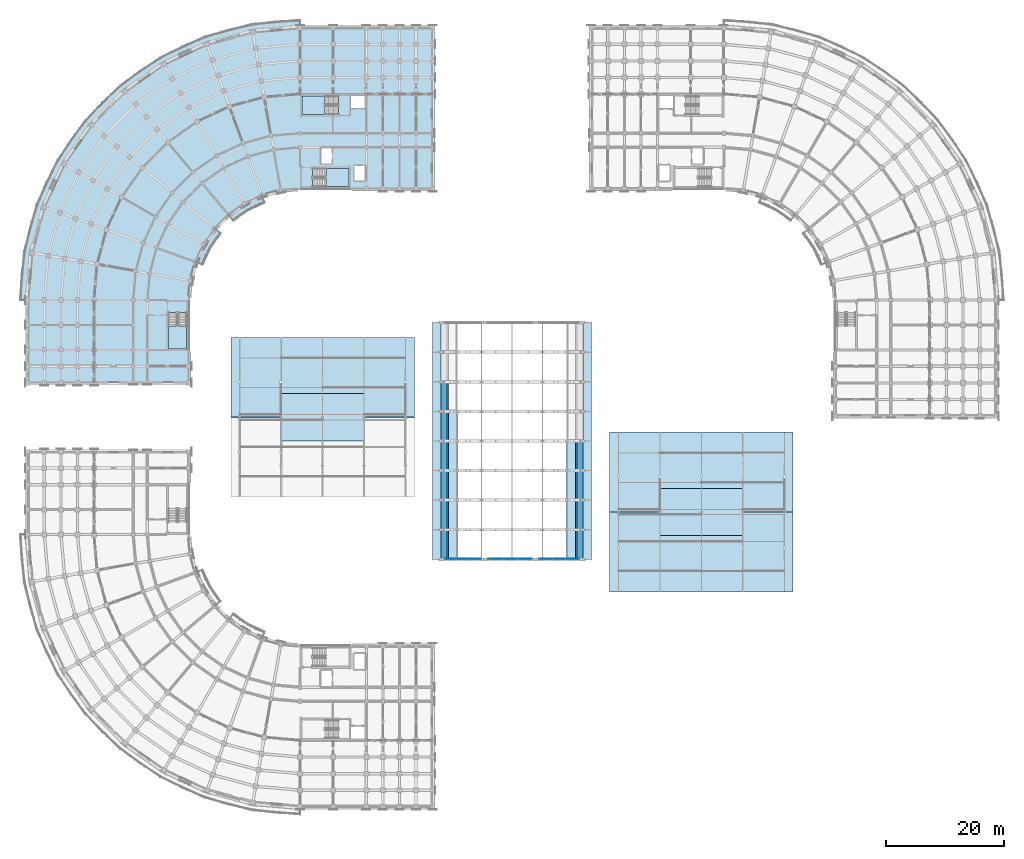
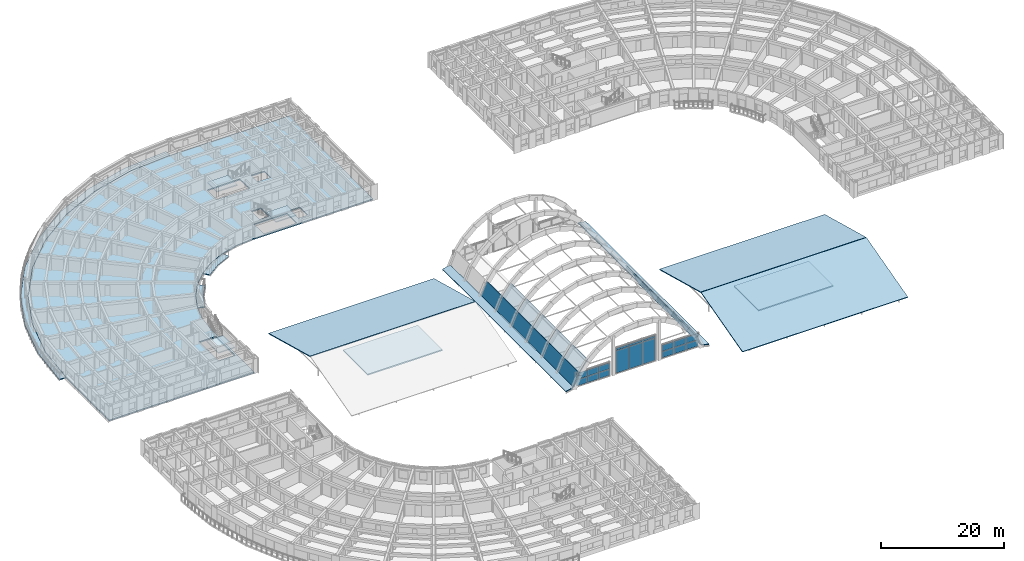
# One storey, part 27 of 76: 33 slabs, 18 plates, 9 elements without a shape of their own.
"""IFC4 building model written with IfcOpenShell, lengths in metres."""

import ifcopenshell
import ifcopenshell.guid

model = None  # the IFC model being written
_history = None  # IfcOwnerHistory: only IFC2X3 demands one
_inside = {}  # id of a spatial element -> (the spatial element, [elements in it])
_under = {}  # id of a project, library or spatial element -> (it, [spatial elements below it])
_declared = {}  # id of a project -> (the project, [libraries it declares])
_typed = {}  # id of a type object -> (the type object, [elements of that type])
_made_of = {}  # id of a material, layer set ... -> (it, [elements and type objects made of it])


def new_model(schema):
    """Start an empty IFC model of exactly this schema.

    Asked for "IFC4X3", IfcOpenShell would pick the latest addendum, in which some entities
    have other attributes; the version numbers below select the first issue.
    IFC2X3 requires an IfcOwnerHistory on every rooted entity: one is made here for all.
    """
    global model, _history
    if schema == "IFC4X3":
        model = ifcopenshell.file(schema_version=(4, 3, 0, 0))
    else:
        model = ifcopenshell.file(schema=schema)
    _inside.clear()
    _under.clear()
    _declared.clear()
    _typed.clear()
    _made_of.clear()
    _history = None
    if model.schema == "IFC2X3":
        org = make("IfcOrganization", Name="unknown")
        user = make(
            "IfcPersonAndOrganization",
            ThePerson=make("IfcPerson", FamilyName="unknown"),
            TheOrganization=org,
        )
        app = make(
            "IfcApplication",
            ApplicationDeveloper=org,
            Version="unknown",
            ApplicationFullName="unknown",
            ApplicationIdentifier="unknown",
        )
        _history = make(
            "IfcOwnerHistory",
            OwningUser=user,
            OwningApplication=app,
            ChangeAction="ADDED",
            CreationDate=0,
        )
    return model


def make(cls, **values):
    """One entity of the class cls with the attributes given. An attribute that is None is left unset."""
    return model.create_entity(
        cls, **{name: value for name, value in values.items() if value is not None}
    )


def rooted(cls, **values):
    """An entity with a GlobalId (a new one), such as an element, a storey or a relation."""
    return make(cls, GlobalId=ifcopenshell.guid.new(), OwnerHistory=_history, **values)


def si_unit(unit_type, name, prefix=None):
    """IfcSIUnit, for example si_unit("LENGTHUNIT", "METRE", prefix="MILLI")."""
    return make("IfcSIUnit", UnitType=unit_type, Prefix=prefix, Name=name)


def assignment(units):
    """IfcUnitAssignment: the units of a project."""
    return None if units is None else make("IfcUnitAssignment", Units=units)


def point(xyz):
    """IfcCartesianPoint."""
    return None if xyz is None else make("IfcCartesianPoint", Coordinates=xyz)


def direction(xyz):
    """IfcDirection."""
    return None if xyz is None else make("IfcDirection", DirectionRatios=xyz)


def frame(location, z_axis=None, x_axis=None):
    """IfcAxis2Placement3D, a coordinate frame: its origin and axes. An axis left out is left unset."""
    return make(
        "IfcAxis2Placement3D",
        Location=point(location),
        Axis=direction(z_axis),
        RefDirection=direction(x_axis),
    )


def frame_2d(location, x_axis=None):
    """IfcAxis2Placement2D, a coordinate frame in the plane: its origin and x axis."""
    return make(
        "IfcAxis2Placement2D", Location=point(location), RefDirection=direction(x_axis)
    )


def origin():
    """The frame at (0, 0, 0) with its axes left unset."""
    return frame((0.0, 0.0, 0.0))


def origin_2d():
    """The frame at (0, 0) in the plane with its x axis left unset."""
    return frame_2d((0.0, 0.0))


def place(relative_to, where):
    """IfcLocalPlacement: puts the frame where relative to a parent placement (None: the world)."""
    return make(
        "IfcLocalPlacement", PlacementRelTo=relative_to, RelativePlacement=where
    )


def context(
    kind, dimensions, precision=None, world=None, true_north=None, identifier=None
):
    """IfcGeometricRepresentationContext, for example the 3D "Model" context."""
    return make(
        "IfcGeometricRepresentationContext",
        ContextIdentifier=identifier,
        ContextType=kind,
        CoordinateSpaceDimension=dimensions,
        Precision=precision,
        WorldCoordinateSystem=world,
        TrueNorth=true_north,
    )


def subcontext(parent, identifier, kind, view, scale=None):
    """IfcGeometricRepresentationSubContext, for example "Body" below "Model"."""
    return make(
        "IfcGeometricRepresentationSubContext",
        ContextIdentifier=identifier,
        ContextType=kind,
        ParentContext=parent,
        TargetScale=scale,
        TargetView=view,
    )


def project(units=None, contexts=None):
    """IfcProject with its units and contexts."""
    return rooted(
        "IfcProject",
        Name="project",
        RepresentationContexts=contexts,
        UnitsInContext=assignment(units),
    )


def spatial(cls, under=None, at=None, **own):
    """A site, building, storey or space (cls), placed at a placement, below another one or the project."""
    s = rooted(cls, ObjectPlacement=at, **own)
    if under is not None:
        _under.setdefault(under.id(), (under, []))[1].append(s)
    return s


def polyline(points):
    """IfcPolyline through the points."""
    return make("IfcPolyline", Points=[point(p) for p in points])


def profile(cls, at=None, kind="AREA", **sizes):
    """A parametric profile (cls). Its sizes go by their IFC names, for example OverallWidth=200.0."""
    return make(cls, ProfileType=kind, Position=at, **sizes)


def rectangle(**sizes):
    """IfcRectangleProfileDef."""
    return profile("IfcRectangleProfileDef", **sizes)


def outline(outer, holes=None, kind="AREA"):
    """IfcArbitraryClosedProfileDef: a profile drawn as a closed curve; with holes, ...WithVoids."""
    if holes is None:
        return make("IfcArbitraryClosedProfileDef", ProfileType=kind, OuterCurve=outer)
    return make(
        "IfcArbitraryProfileDefWithVoids",
        ProfileType=kind,
        OuterCurve=outer,
        InnerCurves=holes,
    )


def extrude(swept, where, along, depth):
    """IfcExtrudedAreaSolid: the profile swept, set in the frame where, extruded along a direction by depth."""
    return make(
        "IfcExtrudedAreaSolid",
        SweptArea=swept,
        Position=where,
        ExtrudedDirection=direction(along),
        Depth=depth,
    )


def shape(context_of_items, identifier, shape_type, items):
    """IfcShapeRepresentation: the items that make up one representation, for example the "Body"."""
    return make(
        "IfcShapeRepresentation",
        ContextOfItems=context_of_items,
        RepresentationIdentifier=identifier,
        RepresentationType=shape_type,
        Items=items,
    )


def material(Name=None, Category=None):
    """IfcMaterial."""
    return make("IfcMaterial", Name=Name, Category=Category)


def layer(
    of_material, thickness, ventilated=None, Name=None, Category=None, Priority=None
):
    """IfcMaterialLayer: one layer of a wall or slab, of a material (None: an air gap)."""
    return make(
        "IfcMaterialLayer",
        Material=of_material,
        LayerThickness=thickness,
        IsVentilated=ventilated,
        Name=Name,
        Category=Category,
        Priority=Priority,
    )


def layer_set(layers, Name=None):
    """IfcMaterialLayerSet."""
    return make("IfcMaterialLayerSet", MaterialLayers=layers, LayerSetName=Name)


def made_of(thing, what):
    """Note that an element or type object is made of a material, layer set ...; save() writes the relation."""
    if what is not None:
        _made_of.setdefault(what.id(), (what, []))[1].append(thing)
    return thing


def type_object(cls, material=None, **own):
    """A type object (cls), such as IfcWallType, which elements share."""
    return made_of(rooted(cls, **own), material)


def element(
    cls,
    number,
    at=None,
    inside=None,
    cuts=None,
    type_object=None,
    material=None,
    context=None,
    identifier="Body",
    shape_type=None,
    held_by="IfcProductDefinitionShape",
    body=None,
    shapes=None,
    **own,
):
    """One element of the class cls, such as IfcWall. Its Tag is "e" and its number.

    at: its placement. inside: the storey or other place that contains it. cuts: it is an
    opening in that element (IfcRelVoidsElement). A single representation is given by context,
    identifier, shape_type and body (its items); several are given by shapes. held_by: the class
    of the entity that holds the representations. save() writes the other relations.
    """
    e = rooted(cls, Tag="e%d" % number, ObjectPlacement=at, **own)
    if body is not None:
        shapes = [shape(context, identifier, shape_type, body)]
    if shapes is not None:
        e.Representation = make(held_by, Representations=shapes)
    if inside is not None:
        _inside.setdefault(inside.id(), (inside, []))[1].append(e)
    if cuts is not None:
        rooted(
            "IfcRelVoidsElement", RelatingBuildingElement=cuts, RelatedOpeningElement=e
        )
    if type_object is not None:
        _typed.setdefault(type_object.id(), (type_object, []))[1].append(e)
    return made_of(e, material)


def aggregate(whole, parts):
    """IfcRelAggregates: a whole, such as a stair, and the parts it consists of."""
    return rooted("IfcRelAggregates", RelatingObject=whole, RelatedObjects=parts)


def save(model, path):
    """Write the relations noted so far, then the file.

    IfcRelAggregates (storeys below a building ...), IfcRelContainedInSpatialStructure (elements
    in a storey), IfcRelDefinesByType, IfcRelAssociatesMaterial and IfcRelDeclares: one each for
    every whole, place, type object, material and project.
    """
    for whole, parts in _under.values():
        aggregate(whole, parts)
    for where, things in _inside.values():
        rooted(
            "IfcRelContainedInSpatialStructure",
            RelatedElements=things,
            RelatingStructure=where,
        )
    for kind, things in _typed.values():
        rooted("IfcRelDefinesByType", RelatedObjects=things, RelatingType=kind)
    for what, things in _made_of.values():
        rooted("IfcRelAssociatesMaterial", RelatedObjects=things, RelatingMaterial=what)
    for by, libraries in _declared.values():
        rooted("IfcRelDeclares", RelatingContext=by, RelatedDefinitions=libraries)
    model.write(path)


model = new_model("IFC4")

# Units and contexts
model_context = context("Model", 3, precision=1e-05, world=origin(), true_north=direction((0.0, 1.0)))
body_context = subcontext(model_context, "Body", "Model", "MODEL_VIEW")
ifc_project = project(units=[si_unit("LENGTHUNIT", "METRE"), si_unit("AREAUNIT", "SQUARE_METRE"), si_unit("VOLUMEUNIT", "CUBIC_METRE"), si_unit("PLANEANGLEUNIT", "RADIAN"), si_unit("MASSUNIT", "GRAM", prefix="KILO")], contexts=[model_context])

# Site, building, storey
site_placement = place(None, origin())
site = spatial("IfcSite", under=ifc_project, at=site_placement, CompositionType="ELEMENT")
building_placement = place(site_placement, origin())
building = spatial("IfcBuilding", under=site, at=building_placement, Name="Kiranvali Square Residences", CompositionType="ELEMENT")
storey_placement = place(building_placement, frame((0.0, 0.0, 8.699951171875)))
storey = spatial("IfcBuildingStorey", under=building, at=storey_placement, Name="L02", CompositionType="ELEMENT", Elevation=8.699951171875)

# Curtain wall, plates
ifc_material_1 = material(Name="Anodised bronze aluminium framing", Category="aluminium")
curtain_wall_type = type_object("IfcCurtainWallType", Name="CW-CH-TYM", PredefinedType="USERDEFINED", material=ifc_material_1)
curtain_wall_1_placement = place(storey_placement, origin())
curtain_wall_1 = element("IfcCurtainWall", 1, at=curtain_wall_1_placement, inside=storey, type_object=curtain_wall_type, Name="Community Hall S vaulted tympanum glazing 1", ObjectType="CURTAIN WALL", PredefinedType="USERDEFINED")
ifc_material_2 = material(Name="Solar-control low-e double glazing", Category="glass")
ifc_layer_1 = layer(ifc_material_2, 0.028076171875)
ifc_layer_set_1 = layer_set([ifc_layer_1], Name="Solar-control low-e double glazing")
plate_type = type_object("IfcPlateType", Name="PLT-CW-GLZ", PredefinedType="CURTAIN_PANEL", material=ifc_layer_set_1)
plate_1_placement = place(storey_placement, frame((73.63330078125, 44.080078125, 0.10009765625), z_axis=(0.0, 0.0, 1.0), x_axis=(1.0, 0.0, 0.0)))
plate_1 = element("IfcPlate", 2, at=plate_1_placement, type_object=plate_type, Name="CW-CH-TYM-S-1 glazed panel 1.1", PredefinedType="CURTAIN_PANEL", context=body_context, shape_type="SweptSolid", body=[
    extrude(rectangle(XDim=1.98681640625, YDim=0.028076171875, at=origin_2d()), origin(), (0.0, 0.0, 1.0), 1.219970703125),
])
plate_2_placement = place(storey_placement, frame((73.63330078125, 44.080078125, 1.39990234375), z_axis=(0.0, 0.0, 1.0), x_axis=(1.0, 0.0, 0.0)))
plate_2 = element("IfcPlate", 3, at=plate_2_placement, type_object=plate_type, Name="CW-CH-TYM-S-1 glazed panel 1.2", PredefinedType="CURTAIN_PANEL", context=body_context, shape_type="SweptSolid", body=[
    extrude(rectangle(XDim=1.98681640625, YDim=0.028076171875, at=origin_2d()), origin(), (0.0, 0.0, 1.0), 1.219970703125),
])
plate_3_placement = place(storey_placement, frame((75.699951171875, 44.080078125, 0.10009765625), z_axis=(0.0, 0.0, 1.0), x_axis=(1.0, 0.0, 0.0)))
plate_3 = element("IfcPlate", 4, at=plate_3_placement, type_object=plate_type, Name="CW-CH-TYM-S-1 glazed panel 2.1", PredefinedType="CURTAIN_PANEL", context=body_context, shape_type="SweptSolid", body=[
    extrude(rectangle(XDim=1.98681640625, YDim=0.028076171875, at=origin_2d()), origin(), (0.0, 0.0, 1.0), 1.219970703125),
])
plate_4_placement = place(storey_placement, frame((75.699951171875, 44.080078125, 1.39990234375), z_axis=(0.0, 0.0, 1.0), x_axis=(1.0, 0.0, 0.0)))
plate_4 = element("IfcPlate", 5, at=plate_4_placement, type_object=plate_type, Name="CW-CH-TYM-S-1 glazed panel 2.2", PredefinedType="CURTAIN_PANEL", context=body_context, shape_type="SweptSolid", body=[
    extrude(rectangle(XDim=1.98681640625, YDim=0.028076171875, at=origin_2d()), origin(), (0.0, 0.0, 1.0), 1.219970703125),
])
plate_5_placement = place(storey_placement, frame((77.7666015625, 44.080078125, 0.10009765625), z_axis=(0.0, 0.0, 1.0), x_axis=(1.0, 0.0, 0.0)))
plate_5 = element("IfcPlate", 6, at=plate_5_placement, type_object=plate_type, Name="CW-CH-TYM-S-1 glazed panel 3.1", PredefinedType="CURTAIN_PANEL", context=body_context, shape_type="SweptSolid", body=[
    extrude(rectangle(XDim=1.98681640625, YDim=0.028076171875, at=origin_2d()), origin(), (0.0, 0.0, 1.0), 1.219970703125),
])
plate_6_placement = place(storey_placement, frame((77.7666015625, 44.080078125, 1.39990234375), z_axis=(0.0, 0.0, 1.0), x_axis=(1.0, 0.0, 0.0)))
plate_6 = element("IfcPlate", 7, at=plate_6_placement, type_object=plate_type, Name="CW-CH-TYM-S-1 glazed panel 3.2", PredefinedType="CURTAIN_PANEL", context=body_context, shape_type="SweptSolid", body=[
    extrude(rectangle(XDim=1.98681640625, YDim=0.028076171875, at=origin_2d()), origin(), (0.0, 0.0, 1.0), 1.219970703125),
])
aggregate(curtain_wall_1, [plate_1, plate_2, plate_3, plate_4, plate_5, plate_6])

curtain_wall_2_placement = place(storey_placement, origin())
curtain_wall_2 = element("IfcCurtainWall", 8, at=curtain_wall_2_placement, inside=storey, type_object=curtain_wall_type, Name="Community Hall S vaulted tympanum glazing 2", ObjectType="CURTAIN WALL", PredefinedType="USERDEFINED")
plate_7_placement = place(storey_placement, frame((81.2333984375, 44.080078125, 0.10009765625), z_axis=(0.0, 0.0, 1.0), x_axis=(1.0, 0.0, 0.0)))
plate_7 = element("IfcPlate", 9, at=plate_7_placement, type_object=plate_type, Name="CW-CH-TYM-S-2 glazed panel 1.1", PredefinedType="CURTAIN_PANEL", context=body_context, shape_type="SweptSolid", body=[
    extrude(rectangle(XDim=2.38671875, YDim=0.028076171875, at=origin_2d()), origin(), (0.0, 0.0, 1.0), 4.409912109375),
])
plate_8_placement = place(storey_placement, frame((81.2333984375, 44.080078125, 4.58984375), z_axis=(0.0, 0.0, 1.0), x_axis=(1.0, 0.0, 0.0)))
plate_8 = element("IfcPlate", 10, at=plate_8_placement, type_object=plate_type, Name="CW-CH-TYM-S-2 glazed panel 1.2", PredefinedType="CURTAIN_PANEL", context=body_context, shape_type="SweptSolid", body=[
    extrude(rectangle(XDim=2.38671875, YDim=0.028076171875, at=origin_2d()), origin(), (0.0, 0.0, 1.0), 0.429931640625),
])
plate_9_placement = place(storey_placement, frame((83.699951171875, 44.080078125, 0.10009765625), z_axis=(0.0, 0.0, 1.0), x_axis=(1.0, 0.0, 0.0)))
plate_9 = element("IfcPlate", 11, at=plate_9_placement, type_object=plate_type, Name="CW-CH-TYM-S-2 glazed panel 2.1", PredefinedType="CURTAIN_PANEL", context=body_context, shape_type="SweptSolid", body=[
    extrude(rectangle(XDim=2.38671875, YDim=0.028076171875, at=origin_2d()), origin(), (0.0, 0.0, 1.0), 4.409912109375),
])
plate_10_placement = place(storey_placement, frame((83.699951171875, 44.080078125, 4.58984375), z_axis=(0.0, 0.0, 1.0), x_axis=(1.0, 0.0, 0.0)))
plate_10 = element("IfcPlate", 12, at=plate_10_placement, type_object=plate_type, Name="CW-CH-TYM-S-2 glazed panel 2.2", PredefinedType="CURTAIN_PANEL", context=body_context, shape_type="SweptSolid", body=[
    extrude(rectangle(XDim=2.38671875, YDim=0.028076171875, at=origin_2d()), origin(), (0.0, 0.0, 1.0), 0.429931640625),
])
plate_11_placement = place(storey_placement, frame((86.166748046875, 44.080078125, 0.10009765625), z_axis=(0.0, 0.0, 1.0), x_axis=(1.0, 0.0, 0.0)))
plate_11 = element("IfcPlate", 13, at=plate_11_placement, type_object=plate_type, Name="CW-CH-TYM-S-2 glazed panel 3.1", PredefinedType="CURTAIN_PANEL", context=body_context, shape_type="SweptSolid", body=[
    extrude(rectangle(XDim=2.38671875, YDim=0.028076171875, at=origin_2d()), origin(), (0.0, 0.0, 1.0), 4.409912109375),
])
plate_12_placement = place(storey_placement, frame((86.166748046875, 44.080078125, 4.58984375), z_axis=(0.0, 0.0, 1.0), x_axis=(1.0, 0.0, 0.0)))
plate_12 = element("IfcPlate", 14, at=plate_12_placement, type_object=plate_type, Name="CW-CH-TYM-S-2 glazed panel 3.2", PredefinedType="CURTAIN_PANEL", context=body_context, shape_type="SweptSolid", body=[
    extrude(rectangle(XDim=2.38671875, YDim=0.028076171875, at=origin_2d()), origin(), (0.0, 0.0, 1.0), 0.429931640625),
])
aggregate(curtain_wall_2, [plate_7, plate_8, plate_9, plate_10, plate_11, plate_12])

curtain_wall_3_placement = place(storey_placement, origin())
curtain_wall_3 = element("IfcCurtainWall", 15, at=curtain_wall_3_placement, inside=storey, type_object=curtain_wall_type, Name="Community Hall S vaulted tympanum glazing 3", ObjectType="CURTAIN WALL", PredefinedType="USERDEFINED")
plate_13_placement = place(storey_placement, frame((89.7333984375, 44.080078125, 0.10009765625), z_axis=(0.0, 0.0, 1.0), x_axis=(1.0, 0.0, 0.0)))
plate_13 = element("IfcPlate", 16, at=plate_13_placement, type_object=plate_type, Name="CW-CH-TYM-S-3 glazed panel 1.1", PredefinedType="CURTAIN_PANEL", context=body_context, shape_type="SweptSolid", body=[
    extrude(rectangle(XDim=2.186767578125, YDim=0.028076171875, at=origin_2d()), origin(), (0.0, 0.0, 1.0), 1.219970703125),
])
plate_14_placement = place(storey_placement, frame((89.7333984375, 44.080078125, 1.39990234375), z_axis=(0.0, 0.0, 1.0), x_axis=(1.0, 0.0, 0.0)))
plate_14 = element("IfcPlate", 17, at=plate_14_placement, type_object=plate_type, Name="CW-CH-TYM-S-3 glazed panel 1.2", PredefinedType="CURTAIN_PANEL", context=body_context, shape_type="SweptSolid", body=[
    extrude(rectangle(XDim=2.186767578125, YDim=0.028076171875, at=origin_2d()), origin(), (0.0, 0.0, 1.0), 1.219970703125),
])
plate_15_placement = place(storey_placement, frame((92.0, 44.080078125, 0.10009765625), z_axis=(0.0, 0.0, 1.0), x_axis=(1.0, 0.0, 0.0)))
plate_15 = element("IfcPlate", 18, at=plate_15_placement, type_object=plate_type, Name="CW-CH-TYM-S-3 glazed panel 2.1", PredefinedType="CURTAIN_PANEL", context=body_context, shape_type="SweptSolid", body=[
    extrude(rectangle(XDim=2.186767578125, YDim=0.028076171875, at=origin_2d()), origin(), (0.0, 0.0, 1.0), 1.219970703125),
])
plate_16_placement = place(storey_placement, frame((92.0, 44.080078125, 1.39990234375), z_axis=(0.0, 0.0, 1.0), x_axis=(1.0, 0.0, 0.0)))
plate_16 = element("IfcPlate", 19, at=plate_16_placement, type_object=plate_type, Name="CW-CH-TYM-S-3 glazed panel 2.2", PredefinedType="CURTAIN_PANEL", context=body_context, shape_type="SweptSolid", body=[
    extrude(rectangle(XDim=2.186767578125, YDim=0.028076171875, at=origin_2d()), origin(), (0.0, 0.0, 1.0), 1.219970703125),
])
plate_17_placement = place(storey_placement, frame((94.2666015625, 44.080078125, 0.10009765625), z_axis=(0.0, 0.0, 1.0), x_axis=(1.0, 0.0, 0.0)))
plate_17 = element("IfcPlate", 20, at=plate_17_placement, type_object=plate_type, Name="CW-CH-TYM-S-3 glazed panel 3.1", PredefinedType="CURTAIN_PANEL", context=body_context, shape_type="SweptSolid", body=[
    extrude(rectangle(XDim=2.186767578125, YDim=0.028076171875, at=origin_2d()), origin(), (0.0, 0.0, 1.0), 1.219970703125),
])
plate_18_placement = place(storey_placement, frame((94.2666015625, 44.080078125, 1.39990234375), z_axis=(0.0, 0.0, 1.0), x_axis=(1.0, 0.0, 0.0)))
plate_18 = element("IfcPlate", 21, at=plate_18_placement, type_object=plate_type, Name="CW-CH-TYM-S-3 glazed panel 3.2", PredefinedType="CURTAIN_PANEL", context=body_context, shape_type="SweptSolid", body=[
    extrude(rectangle(XDim=2.186767578125, YDim=0.028076171875, at=origin_2d()), origin(), (0.0, 0.0, 1.0), 1.219970703125),
])
aggregate(curtain_wall_3, [plate_13, plate_14, plate_15, plate_16, plate_17, plate_18])

# Slabs
ifc_material_3 = material(Name="Concrete M35 (35 MPa)", Category="concrete")
ifc_layer_2 = layer(ifc_material_3, 0.179931640625)
ifc_layer_set_2 = layer_set([ifc_layer_2], Name="Concrete M35 (35 MPa)")
slab_type_1 = type_object("IfcSlabType", Name="SLB-BAL-180", PredefinedType="FLOOR", material=ifc_layer_set_2)
slab_1_placement = place(storey_placement, frame((0.0, 0.0, -0.179931640625)))
element("IfcSlab", 22, at=slab_1_placement, inside=storey, type_object=slab_type_1, Name="Block A L02 continuous curved corner balcony slab", PredefinedType="FLOOR", context=body_context, shape_type="SweptSolid", body=[
    extrude(outline(polyline([(48.199951171875, 135.050048828125), (39.9951171875, 134.332275390625), (32.03955078125, 132.200439453125), (24.574951171875, 128.7197265625), (17.828369140625, 123.99560546875), (12.00439453125, 118.171630859375), (7.2802734375, 111.425048828125), (3.799560546875, 103.96044921875), (1.667724609375, 96.0048828125), (0.949951171875, 87.800048828125), (2.199951171875, 87.800048828125), (2.89892578125, 95.787841796875), (4.97412109375, 103.532958984375), (8.36279296875, 110.800048828125), (12.9619140625, 117.3681640625), (18.6318359375, 123.0380859375), (25.199951171875, 127.63720703125), (32.467041015625, 131.02587890625), (40.212158203125, 133.10107421875), (48.199951171875, 133.800048828125), (48.199951171875, 135.050048828125)])), origin(), (0.0, 0.0, 1.0), 0.179931640625),
])
ifc_layer_3 = layer(ifc_material_3, 0.22998046875)
ifc_layer_set_3 = layer_set([ifc_layer_3], Name="Concrete M35 (35 MPa)")
slab_type_2 = type_object("IfcSlabType", Name="SLB-FLR-230", PredefinedType="FLOOR", material=ifc_layer_set_3)
slab_2_placement = place(storey_placement, frame((0.0, 0.0, -0.22998046875)))
element("IfcSlab", 23, at=slab_2_placement, inside=storey, type_object=slab_type_2, Name="Block A L02 structural floor slab", PredefinedType="FLOOR", context=body_context, shape_type="SweptSolid", body=[
    extrude(outline(polyline([(70.60009765625, 106.60009765625), (70.60009765625, 133.800048828125), (48.199951171875, 133.800048828125), (40.212158203125, 133.10107421875), (32.467041015625, 131.02587890625), (25.199951171875, 127.63720703125), (18.6318359375, 123.0380859375), (12.9619140625, 117.3681640625), (8.36279296875, 110.800048828125), (4.97412109375, 103.532958984375), (2.89892578125, 95.787841796875), (2.199951171875, 87.800048828125), (2.199951171875, 73.800048828125), (29.39990234375, 73.800048828125), (29.39990234375, 87.800048828125), (29.685546875, 91.064697265625), (30.53369140625, 94.22998046875), (31.918701171875, 97.199951171875), (33.79833984375, 99.884521484375), (36.115478515625, 102.20166015625), (38.800048828125, 104.081298828125), (41.77001953125, 105.46630859375), (44.935302734375, 106.314453125), (48.199951171875, 106.60009765625), (70.60009765625, 106.60009765625)]), holes=[polyline([(56.800048828125, 120.25), (59.25, 120.25), (59.25, 122.25), (56.800048828125, 122.25), (56.800048828125, 120.25)]), polyline([(57.35009765625, 107.949951171875), (59.14990234375, 107.949951171875), (59.14990234375, 110.550048828125), (57.35009765625, 110.550048828125), (57.35009765625, 107.949951171875)]), polyline([(51.75, 110.85009765625), (53.550048828125, 110.85009765625), (53.550048828125, 113.449951171875), (51.75, 113.449951171875), (51.75, 110.85009765625)]), polyline([(54.699951171875, 122.25), (48.550048828125, 122.25), (48.550048828125, 119.14990234375), (54.699951171875, 119.14990234375), (54.699951171875, 122.25)]), polyline([(50.300048828125, 106.949951171875), (56.449951171875, 106.949951171875), (56.449951171875, 110.050048828125), (50.300048828125, 110.050048828125), (50.300048828125, 106.949951171875)]), polyline([(25.949951171875, 85.699951171875), (25.949951171875, 79.550048828125), (29.050048828125, 79.550048828125), (29.050048828125, 85.699951171875), (25.949951171875, 85.699951171875)])]), origin(), (0.0, 0.0, 1.0), 0.22998046875),
])
ifc_layer_4 = layer(ifc_material_3, 0.169921875)
ifc_layer_set_4 = layer_set([ifc_layer_4], Name="Concrete M35 (35 MPa)")
slab_type_3 = type_object("IfcSlabType", Name="SLB-GBAL-170", PredefinedType="FLOOR", material=ifc_layer_set_4)
slab_3_placement = place(storey_placement, frame((0.0, 0.0, -0.179931640625)))
element("IfcSlab", 24, at=slab_3_placement, inside=storey, type_object=slab_type_3, Name="Block A L02 garden balcony slab 1", PredefinedType="FLOOR", context=body_context, shape_type="SweptSolid", body=[
    extrude(outline(polyline([(41.77001953125, 105.46630859375), (38.800048828125, 104.081298828125), (36.115478515625, 102.20166015625), (36.919189453125, 101.244140625), (39.425048828125, 102.998779296875), (42.197509765625, 104.29150390625), (41.77001953125, 105.46630859375)])), origin(), (0.0, 0.0, 1.0), 0.179931640625),
])
slab_4_placement = place(storey_placement, frame((0.0, 0.0, -0.179931640625)))
element("IfcSlab", 25, at=slab_4_placement, inside=storey, type_object=slab_type_3, Name="Block A L02 garden balcony slab 2", PredefinedType="FLOOR", context=body_context, shape_type="SweptSolid", body=[
    extrude(outline(polyline([(33.79833984375, 99.884521484375), (31.918701171875, 97.199951171875), (30.53369140625, 94.22998046875), (31.70849609375, 93.802490234375), (33.001220703125, 96.574951171875), (34.755859375, 99.080810546875), (33.79833984375, 99.884521484375)])), origin(), (0.0, 0.0, 1.0), 0.179931640625),
])

# Stair, slab
stair_type = type_object("IfcStairType", Name="ST-CORE-1700", PredefinedType="HALF_TURN_STAIR", material=ifc_material_3)
stair_1_placement = place(storey_placement, origin())
stair_1 = element("IfcStair", 26, at=stair_1_placement, inside=storey, type_object=stair_type, Name="L02 Block A Firefighting Exit Stair 1", PredefinedType="HALF_TURN_STAIR")
ifc_layer_5 = layer(ifc_material_3, 0.199951171875)
ifc_layer_set_5 = layer_set([ifc_layer_5], Name="Concrete M35 (35 MPa)")
slab_type_4 = type_object("IfcSlabType", Name="SLB-LND-200", PredefinedType="LANDING", material=ifc_layer_set_5)
slab_5_placement = place(storey_placement, frame((0.0, 0.0, 1.375)))
slab_5 = element("IfcSlab", 27, at=slab_5_placement, type_object=slab_type_4, Name="ST-A1 landing 1", PredefinedType="LANDING", context=body_context, shape_type="SweptSolid", body=[
    extrude(outline(polyline([(52.419921875, 122.25), (48.550048828125, 122.25), (48.550048828125, 119.14990234375), (52.419921875, 119.14990234375), (52.419921875, 122.25)])), origin(), (0.0, 0.0, 1.0), 0.199951171875),
])
aggregate(stair_1, [slab_5])

stair_2_placement = place(storey_placement, origin())
stair_2 = element("IfcStair", 28, at=stair_2_placement, inside=storey, type_object=stair_type, Name="L02 Block A Protected Exit Stair 2", PredefinedType="HALF_TURN_STAIR")
slab_6_placement = place(storey_placement, frame((0.0, 0.0, 1.375)))
slab_6 = element("IfcSlab", 29, at=slab_6_placement, type_object=slab_type_4, Name="ST-A2 landing 1", PredefinedType="LANDING", context=body_context, shape_type="SweptSolid", body=[
    extrude(outline(polyline([(52.580078125, 106.949951171875), (56.449951171875, 106.949951171875), (56.449951171875, 110.050048828125), (52.580078125, 110.050048828125), (52.580078125, 106.949951171875)])), origin(), (0.0, 0.0, 1.0), 0.199951171875),
])
aggregate(stair_2, [slab_6])

stair_3_placement = place(storey_placement, origin())
stair_3 = element("IfcStair", 30, at=stair_3_placement, inside=storey, type_object=stair_type, Name="L02 Block A Wing Protected Exit Stair 3", PredefinedType="HALF_TURN_STAIR")
slab_7_placement = place(storey_placement, frame((0.0, 0.0, 1.375)))
slab_7 = element("IfcSlab", 31, at=slab_7_placement, type_object=slab_type_4, Name="ST-A3 landing 1", PredefinedType="LANDING", context=body_context, shape_type="SweptSolid", body=[
    extrude(outline(polyline([(25.949951171875, 83.419921875), (25.949951171875, 79.550048828125), (29.050048828125, 79.550048828125), (29.050048828125, 83.419921875), (25.949951171875, 83.419921875)])), origin(), (0.0, 0.0, 1.0), 0.199951171875),
])
aggregate(stair_3, [slab_7])

# Roof, slabs
ifc_material_4 = material(Name="Concrete M45 (45 MPa)", Category="concrete")
roof_type_1 = type_object("IfcRoofType", Name="RF-BARREL-VAULT", PredefinedType="BARREL_ROOF", material=ifc_material_4)
roof_1_placement = place(storey_placement, origin())
roof_1 = element("IfcRoof", 32, at=roof_1_placement, inside=storey, type_object=roof_type_1, Name="Community Hall Exposed-Rib Barrel Vault Roof", PredefinedType="BARREL_ROOF")
ifc_layer_6 = layer(ifc_material_3, 0.159912109375)
ifc_layer_set_6 = layer_set([ifc_layer_6], Name="Concrete M35 (35 MPa)")
slab_type_5 = type_object("IfcSlabType", Name="SLB-PITCH-160", PredefinedType="ROOF", material=ifc_layer_set_6)
slab_8_placement = place(storey_placement, frame((72.0, 44.0, 0.16015625), z_axis=(-0.2283539973, 0.0, 0.973578169392), x_axis=(0.0, 1.0, 0.0)))
slab_8 = element("IfcSlab", 33, at=slab_8_placement, type_object=slab_type_5, Name="Community Hall W overhanging Ottoman eave slab", PredefinedType="ROOF", context=body_context, shape_type="SweptSolid", body=[
    extrude(outline(polyline([(0.0, 0.0), (40.0, 0.0), (40.0, 1.4893012368797147), (0.0, 1.4893012368797147), (0.0, 0.0)])), origin(), (0.0, 0.0, -1.0), 0.159912109375),
])
slab_9_placement = place(storey_placement, frame((96.0, 84.0, 0.16015625), z_axis=(0.2283539973, 0.0, 0.973578169392), x_axis=(0.0, -1.0, 0.0)))
slab_9 = element("IfcSlab", 34, at=slab_9_placement, type_object=slab_type_5, Name="Community Hall E overhanging Ottoman eave slab", PredefinedType="ROOF", context=body_context, shape_type="SweptSolid", body=[
    extrude(outline(polyline([(0.0, 0.0), (40.0, 0.0), (40.0, 1.4893012368797147), (0.0, 1.4893012368797147), (0.0, 0.0)])), origin(), (0.0, 0.0, -1.0), 0.159912109375),
])

# Roof, slab
roof_type_2 = type_object("IfcRoofType", Name="RF-GABLE-PAVILION", PredefinedType="GABLE_ROOF", material=ifc_material_3)
roof_2_placement = place(storey_placement, origin())
roof_2 = element("IfcRoof", 35, at=roof_2_placement, inside=storey, type_object=roof_type_2, Name="Nursery Pavilion Pitched Terracotta Ottoman Roof", PredefinedType="GABLE_ROOF")
slab_10_placement = place(storey_placement, frame((67.5, 81.5, 0.550048828125), z_axis=(0.0, 0.259348805073, 0.965783721807), x_axis=(-1.0, 0.0, 0.0)))
slab_10 = element("IfcSlab", 36, at=slab_10_placement, type_object=slab_type_5, Name="Nursery Pavilion north pitched roof slab", PredefinedType="ROOF", context=body_context, shape_type="SweptSolid", body=[
    extrude(outline(polyline([(0.0, 0.0), (31.0, 0.0), (31.0, 13.947191694144095), (0.0, 13.947191694144095), (0.0, 0.0)])), origin(), (0.0, 0.0, -1.0), 0.159912109375),
])
aggregate(roof_2, [slab_10])

# Roof, slabs
roof_3_placement = place(storey_placement, origin())
roof_3 = element("IfcRoof", 37, at=roof_3_placement, inside=storey, type_object=roof_type_2, Name="Southeast Square Retail Pavilion Pitched Terracotta Ottoman Roof", PredefinedType="GABLE_ROOF")
slab_11_placement = place(storey_placement, frame((100.5, 38.5, 0.550048828125), z_axis=(0.0, -0.259348805073, 0.965783721807), x_axis=(1.0, 0.0, 0.0)))
slab_11 = element("IfcSlab", 38, at=slab_11_placement, type_object=slab_type_5, Name="Southeast Square Retail Pavilion south pitched roof slab", PredefinedType="ROOF", context=body_context, shape_type="SweptSolid", body=[
    extrude(outline(polyline([(0.0, 0.0), (31.0, 0.0), (31.0, 13.947191694144095), (0.0, 13.947191694144095), (0.0, 0.0)])), origin(), (0.0, 0.0, -1.0), 0.159912109375),
])
slab_12_placement = place(storey_placement, frame((131.5, 65.5, 0.550048828125), z_axis=(0.0, 0.259348805073, 0.965783721807), x_axis=(-1.0, 0.0, 0.0)))
slab_12 = element("IfcSlab", 39, at=slab_12_placement, type_object=slab_type_5, Name="Southeast Square Retail Pavilion north pitched roof slab", PredefinedType="ROOF", context=body_context, shape_type="SweptSolid", body=[
    extrude(outline(polyline([(0.0, 0.0), (31.0, 0.0), (31.0, 13.947191694144095), (0.0, 13.947191694144095), (0.0, 0.0)])), origin(), (0.0, 0.0, -1.0), 0.159912109375),
])
aggregate(roof_3, [slab_11, slab_12])

# Slabs
ifc_material_5 = material(Name="Concrete M40 (40 MPa)", Category="concrete")
ifc_layer_7 = layer(ifc_material_5, 0.239990234375)
ifc_layer_set_7 = layer_set([ifc_layer_7], Name="Concrete M40 (40 MPa)")
slab_type_6 = type_object("IfcSlabType", Name="SLB-ROOF-240", PredefinedType="ROOF", material=ifc_layer_set_7)
slab_13_placement = place(storey_placement, frame((0.0, 0.0, -0.199951171875)))
element("IfcSlab", 40, at=slab_13_placement, inside=storey, type_object=slab_type_6, Name="Nursery Pavilion collar deck slab", PredefinedType="ROOF", context=body_context, shape_type="SweptSolid", body=[
    extrude(outline(polyline([(45.0, 64.0), (59.0, 64.0), (59.0, 72.0), (45.0, 72.0), (45.0, 64.0)])), origin(), (0.0, 0.0, 1.0), 0.239990234375),
])
slab_14_placement = place(storey_placement, frame((0.0, 0.0, -0.199951171875)))
element("IfcSlab", 41, at=slab_14_placement, inside=storey, type_object=slab_type_6, Name="Southeast Square Retail Pavilion collar deck slab", PredefinedType="ROOF", context=body_context, shape_type="SweptSolid", body=[
    extrude(outline(polyline([(109.0, 48.0), (123.0, 48.0), (123.0, 56.0), (109.0, 56.0), (109.0, 48.0)])), origin(), (0.0, 0.0, 1.0), 0.239990234375),
])

# Slab
ifc_layer_8 = layer(ifc_material_4, 0.199951171875)
ifc_layer_set_8 = layer_set([ifc_layer_8], Name="Concrete M45 (45 MPa)")
slab_type_7 = type_object("IfcSlabType", Name="SLB-VLT-200", PredefinedType="ROOF", material=ifc_layer_set_8)
slab_15_placement = place(storey_placement, frame((72.001708984375, 44.0, 0.20361328125), z_axis=(-0.916824427597, 0.0, 0.39929058211), x_axis=(0.39929058211, 0.0, 0.916824427597)))
slab_15 = element("IfcSlab", 42, at=slab_15_placement, type_object=slab_type_7, Name="Community Hall barrel-vault shell strip 1.1", PredefinedType="ROOF", context=body_context, shape_type="SweptSolid", body=[
    extrude(outline(polyline([(0.0, 0.0), (2.6407919610866375, 0.0), (2.6407919610866375, 5.0), (0.0, 5.0), (0.0, 0.0)])), origin(), (0.0, 0.0, -1.0), 0.199951171875),
])

slab_16_placement = place(storey_placement, frame((73.06005859375, 44.0, 2.6318359375), z_axis=(-0.812933113734, 0.0, 0.582357066236), x_axis=(0.582357066236, 0.0, 0.812933113734)))
slab_16 = element("IfcSlab", 43, at=slab_16_placement, type_object=slab_type_7, Name="Community Hall barrel-vault shell strip 1.2", PredefinedType="ROOF", context=body_context, shape_type="SweptSolid", body=[
    extrude(outline(polyline([(0.0, 0.0), (2.640719733711483, 0.0), (2.640719733711483, 5.0), (0.0, 5.0), (0.0, 0.0)])), origin(), (0.0, 0.0, -1.0), 0.199951171875),
])

slab_17_placement = place(storey_placement, frame((93.402099609375, 44.0, 4.778564453125), z_axis=(0.812933113734, 0.0, 0.582357066236), x_axis=(0.582357066236, 0.0, -0.812933113734)))
slab_17 = element("IfcSlab", 44, at=slab_17_placement, type_object=slab_type_7, Name="Community Hall barrel-vault shell strip 1.11", PredefinedType="ROOF", context=body_context, shape_type="SweptSolid", body=[
    extrude(outline(polyline([(0.0, 0.0), (2.640719733711483, 0.0), (2.640719733711483, 5.0), (0.0, 5.0), (0.0, 0.0)])), origin(), (0.0, 0.0, -1.0), 0.199951171875),
])

slab_18_placement = place(storey_placement, frame((94.94384765625, 44.0, 2.624755859375), z_axis=(0.916824427597, 0.0, 0.39929058211), x_axis=(0.39929058211, 0.0, -0.916824427597)))
slab_18 = element("IfcSlab", 45, at=slab_18_placement, type_object=slab_type_7, Name="Community Hall barrel-vault shell strip 1.12", PredefinedType="ROOF", context=body_context, shape_type="SweptSolid", body=[
    extrude(outline(polyline([(0.0, 0.0), (2.6407919610866375, 0.0), (2.6407919610866375, 5.0), (0.0, 5.0), (0.0, 0.0)])), origin(), (0.0, 0.0, -1.0), 0.199951171875),
])

slab_19_placement = place(storey_placement, frame((72.001708984375, 49.0, 0.20361328125), z_axis=(-0.916824427597, 0.0, 0.39929058211), x_axis=(0.39929058211, 0.0, 0.916824427597)))
slab_19 = element("IfcSlab", 46, at=slab_19_placement, type_object=slab_type_7, Name="Community Hall barrel-vault shell strip 2.1", PredefinedType="ROOF", context=body_context, shape_type="SweptSolid", body=[
    extrude(outline(polyline([(0.0, 0.0), (2.6407919610866375, 0.0), (2.6407919610866375, 5.0), (0.0, 5.0), (0.0, 0.0)])), origin(), (0.0, 0.0, -1.0), 0.199951171875),
])

slab_20_placement = place(storey_placement, frame((73.06005859375, 49.0, 2.6318359375), z_axis=(-0.812933113734, 0.0, 0.582357066236), x_axis=(0.582357066236, 0.0, 0.812933113734)))
slab_20 = element("IfcSlab", 47, at=slab_20_placement, type_object=slab_type_7, Name="Community Hall barrel-vault shell strip 2.2", PredefinedType="ROOF", context=body_context, shape_type="SweptSolid", body=[
    extrude(outline(polyline([(0.0, 0.0), (2.640719733711483, 0.0), (2.640719733711483, 5.0), (0.0, 5.0), (0.0, 0.0)])), origin(), (0.0, 0.0, -1.0), 0.199951171875),
])

slab_21_placement = place(storey_placement, frame((93.402099609375, 49.0, 4.778564453125), z_axis=(0.812933113734, 0.0, 0.582357066236), x_axis=(0.582357066236, 0.0, -0.812933113734)))
slab_21 = element("IfcSlab", 48, at=slab_21_placement, type_object=slab_type_7, Name="Community Hall barrel-vault shell strip 2.11", PredefinedType="ROOF", context=body_context, shape_type="SweptSolid", body=[
    extrude(outline(polyline([(0.0, 0.0), (2.640719733711483, 0.0), (2.640719733711483, 5.0), (0.0, 5.0), (0.0, 0.0)])), origin(), (0.0, 0.0, -1.0), 0.199951171875),
])

slab_22_placement = place(storey_placement, frame((94.94384765625, 49.0, 2.624755859375), z_axis=(0.916824427597, 0.0, 0.39929058211), x_axis=(0.39929058211, 0.0, -0.916824427597)))
slab_22 = element("IfcSlab", 49, at=slab_22_placement, type_object=slab_type_7, Name="Community Hall barrel-vault shell strip 2.12", PredefinedType="ROOF", context=body_context, shape_type="SweptSolid", body=[
    extrude(outline(polyline([(0.0, 0.0), (2.6407919610866375, 0.0), (2.6407919610866375, 5.0), (0.0, 5.0), (0.0, 0.0)])), origin(), (0.0, 0.0, -1.0), 0.199951171875),
])

slab_23_placement = place(storey_placement, frame((72.001708984375, 54.0, 0.20361328125), z_axis=(-0.916824427597, 0.0, 0.39929058211), x_axis=(0.39929058211, 0.0, 0.916824427597)))
slab_23 = element("IfcSlab", 50, at=slab_23_placement, type_object=slab_type_7, Name="Community Hall barrel-vault shell strip 3.1", PredefinedType="ROOF", context=body_context, shape_type="SweptSolid", body=[
    extrude(outline(polyline([(0.0, 0.0), (2.6407919610866375, 0.0), (2.6407919610866375, 5.0), (0.0, 5.0), (0.0, 0.0)])), origin(), (0.0, 0.0, -1.0), 0.199951171875),
])

slab_24_placement = place(storey_placement, frame((73.06005859375, 54.0, 2.6318359375), z_axis=(-0.812933113734, 0.0, 0.582357066236), x_axis=(0.582357066236, 0.0, 0.812933113734)))
slab_24 = element("IfcSlab", 51, at=slab_24_placement, type_object=slab_type_7, Name="Community Hall barrel-vault shell strip 3.2", PredefinedType="ROOF", context=body_context, shape_type="SweptSolid", body=[
    extrude(outline(polyline([(0.0, 0.0), (2.640719733711483, 0.0), (2.640719733711483, 5.0), (0.0, 5.0), (0.0, 0.0)])), origin(), (0.0, 0.0, -1.0), 0.199951171875),
])

slab_25_placement = place(storey_placement, frame((93.402099609375, 54.0, 4.778564453125), z_axis=(0.812933113734, 0.0, 0.582357066236), x_axis=(0.582357066236, 0.0, -0.812933113734)))
slab_25 = element("IfcSlab", 52, at=slab_25_placement, type_object=slab_type_7, Name="Community Hall barrel-vault shell strip 3.11", PredefinedType="ROOF", context=body_context, shape_type="SweptSolid", body=[
    extrude(outline(polyline([(0.0, 0.0), (2.640719733711483, 0.0), (2.640719733711483, 5.0), (0.0, 5.0), (0.0, 0.0)])), origin(), (0.0, 0.0, -1.0), 0.199951171875),
])

slab_26_placement = place(storey_placement, frame((94.94384765625, 54.0, 2.624755859375), z_axis=(0.916824427597, 0.0, 0.39929058211), x_axis=(0.39929058211, 0.0, -0.916824427597)))
slab_26 = element("IfcSlab", 53, at=slab_26_placement, type_object=slab_type_7, Name="Community Hall barrel-vault shell strip 3.12", PredefinedType="ROOF", context=body_context, shape_type="SweptSolid", body=[
    extrude(outline(polyline([(0.0, 0.0), (2.6407919610866375, 0.0), (2.6407919610866375, 5.0), (0.0, 5.0), (0.0, 0.0)])), origin(), (0.0, 0.0, -1.0), 0.199951171875),
])

slab_27_placement = place(storey_placement, frame((72.001708984375, 59.0, 0.20361328125), z_axis=(-0.916824427597, 0.0, 0.39929058211), x_axis=(0.39929058211, 0.0, 0.916824427597)))
slab_27 = element("IfcSlab", 54, at=slab_27_placement, type_object=slab_type_7, Name="Community Hall barrel-vault shell strip 4.1", PredefinedType="ROOF", context=body_context, shape_type="SweptSolid", body=[
    extrude(outline(polyline([(0.0, 0.0), (2.6407919610866375, 0.0), (2.6407919610866375, 5.0), (0.0, 5.0), (0.0, 0.0)])), origin(), (0.0, 0.0, -1.0), 0.199951171875),
])

slab_28_placement = place(storey_placement, frame((73.06005859375, 59.0, 2.6318359375), z_axis=(-0.812933113734, 0.0, 0.582357066236), x_axis=(0.582357066236, 0.0, 0.812933113734)))
slab_28 = element("IfcSlab", 55, at=slab_28_placement, type_object=slab_type_7, Name="Community Hall barrel-vault shell strip 4.2", PredefinedType="ROOF", context=body_context, shape_type="SweptSolid", body=[
    extrude(outline(polyline([(0.0, 0.0), (2.640719733711483, 0.0), (2.640719733711483, 5.0), (0.0, 5.0), (0.0, 0.0)])), origin(), (0.0, 0.0, -1.0), 0.199951171875),
])

slab_29_placement = place(storey_placement, frame((93.402099609375, 59.0, 4.778564453125), z_axis=(0.812933113734, 0.0, 0.582357066236), x_axis=(0.582357066236, 0.0, -0.812933113734)))
slab_29 = element("IfcSlab", 56, at=slab_29_placement, type_object=slab_type_7, Name="Community Hall barrel-vault shell strip 4.11", PredefinedType="ROOF", context=body_context, shape_type="SweptSolid", body=[
    extrude(outline(polyline([(0.0, 0.0), (2.640719733711483, 0.0), (2.640719733711483, 5.0), (0.0, 5.0), (0.0, 0.0)])), origin(), (0.0, 0.0, -1.0), 0.199951171875),
])

slab_30_placement = place(storey_placement, frame((94.94384765625, 59.0, 2.624755859375), z_axis=(0.916824427597, 0.0, 0.39929058211), x_axis=(0.39929058211, 0.0, -0.916824427597)))
slab_30 = element("IfcSlab", 57, at=slab_30_placement, type_object=slab_type_7, Name="Community Hall barrel-vault shell strip 4.12", PredefinedType="ROOF", context=body_context, shape_type="SweptSolid", body=[
    extrude(outline(polyline([(0.0, 0.0), (2.6407919610866375, 0.0), (2.6407919610866375, 5.0), (0.0, 5.0), (0.0, 0.0)])), origin(), (0.0, 0.0, -1.0), 0.199951171875),
])

slab_31_placement = place(storey_placement, frame((72.001708984375, 64.0, 0.20361328125), z_axis=(-0.916824427597, 0.0, 0.39929058211), x_axis=(0.39929058211, 0.0, 0.916824427597)))
slab_31 = element("IfcSlab", 58, at=slab_31_placement, type_object=slab_type_7, Name="Community Hall barrel-vault shell strip 5.1", PredefinedType="ROOF", context=body_context, shape_type="SweptSolid", body=[
    extrude(outline(polyline([(0.0, 0.0), (2.6407919610866375, 0.0), (2.6407919610866375, 5.0), (0.0, 5.0), (0.0, 0.0)])), origin(), (0.0, 0.0, -1.0), 0.199951171875),
])

slab_32_placement = place(storey_placement, frame((73.06005859375, 64.0, 2.6318359375), z_axis=(-0.812933113734, 0.0, 0.582357066236), x_axis=(0.582357066236, 0.0, 0.812933113734)))
slab_32 = element("IfcSlab", 59, at=slab_32_placement, type_object=slab_type_7, Name="Community Hall barrel-vault shell strip 5.2", PredefinedType="ROOF", context=body_context, shape_type="SweptSolid", body=[
    extrude(outline(polyline([(0.0, 0.0), (2.640719733711483, 0.0), (2.640719733711483, 5.0), (0.0, 5.0), (0.0, 0.0)])), origin(), (0.0, 0.0, -1.0), 0.199951171875),
])

slab_33_placement = place(storey_placement, frame((72.001708984375, 69.0, 0.20361328125), z_axis=(-0.916824427597, 0.0, 0.39929058211), x_axis=(0.39929058211, 0.0, 0.916824427597)))
slab_33 = element("IfcSlab", 60, at=slab_33_placement, type_object=slab_type_7, Name="Community Hall barrel-vault shell strip 6.1", PredefinedType="ROOF", context=body_context, shape_type="SweptSolid", body=[
    extrude(outline(polyline([(0.0, 0.0), (2.6407919610866375, 0.0), (2.6407919610866375, 5.0), (0.0, 5.0), (0.0, 0.0)])), origin(), (0.0, 0.0, -1.0), 0.199951171875),
])

aggregate(roof_1, [slab_15, slab_16, slab_17, slab_18, slab_19, slab_20, slab_21, slab_22, slab_23, slab_24, slab_25, slab_26, slab_27, slab_28, slab_29, slab_30, slab_31, slab_32, slab_33, slab_8, slab_9])

save(model, "model.ifc")
